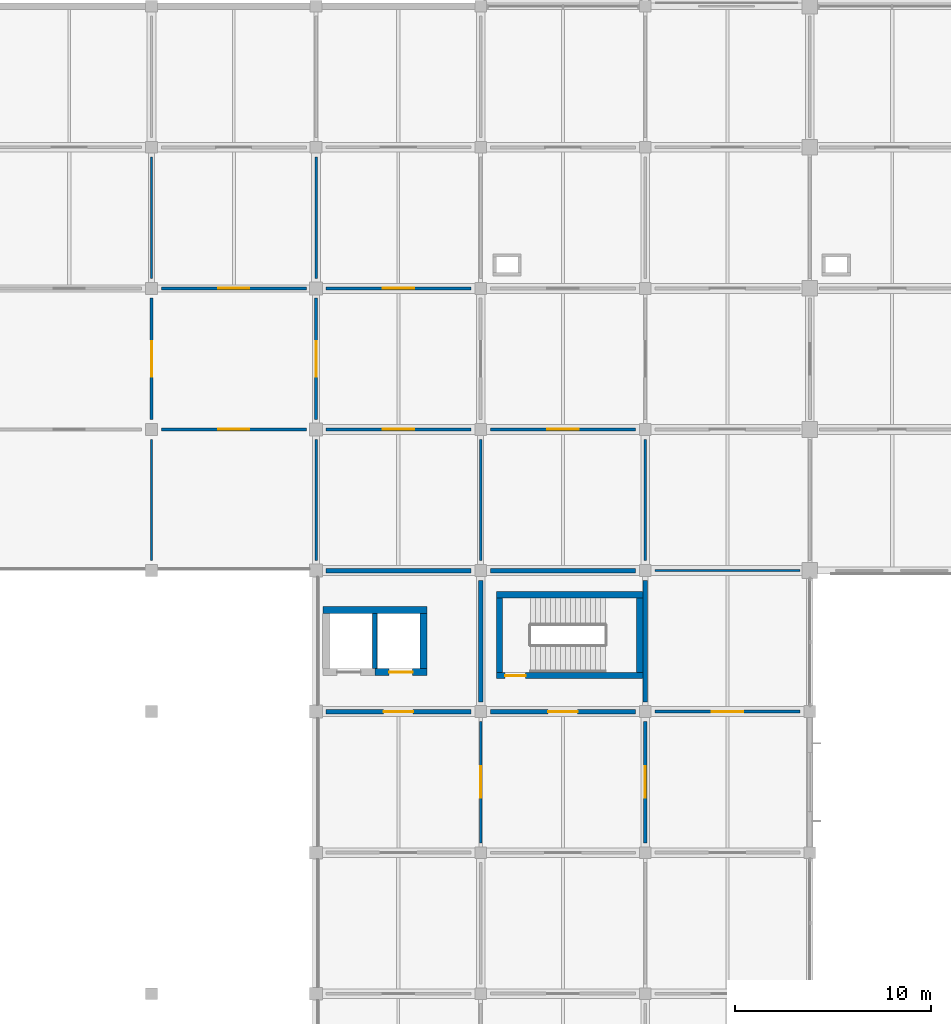
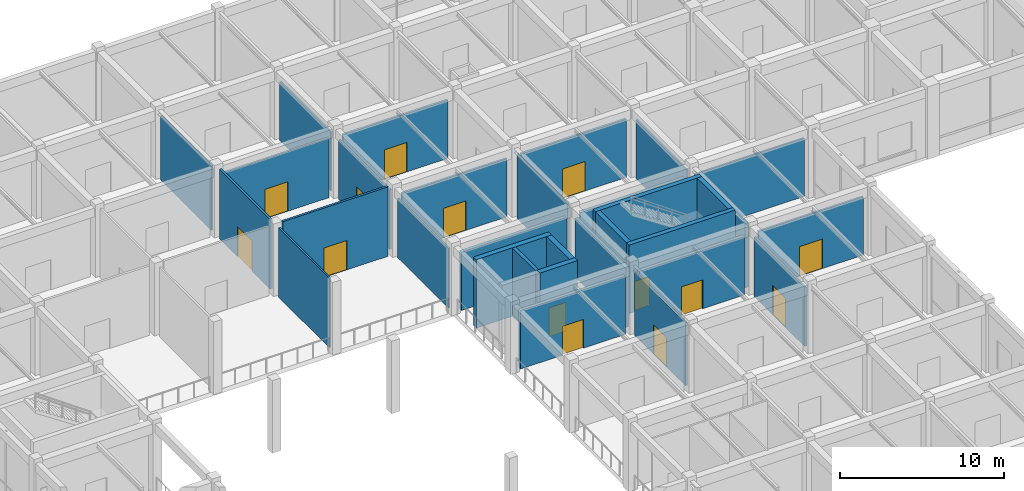
# One storey, part 22 of 38: 31 walls, 14 doors, 14 openings.
"""IFC4 building model written with IfcOpenShell, lengths in metres."""

from ifc_helpers import new_model, si_unit, derived_unit, direction, frame, frame_2d, origin, place, context, subcontext, project, spatial, rectangle, extrude, material, layer, layer_set, type_object, element, fill, save


model = new_model("IFC4")

# Units and contexts
model_context = context("Model", 3, precision=1e-05, world=origin(), true_north=direction((0.0, 1.0)))
body_context = subcontext(model_context, "Body", "Model", "MODEL_VIEW")
ifc_project = project(units=[si_unit("LENGTHUNIT", "METRE"), si_unit("AREAUNIT", "SQUARE_METRE"), si_unit("VOLUMEUNIT", "CUBIC_METRE"), si_unit("PLANEANGLEUNIT", "RADIAN"), si_unit("MASSUNIT", "GRAM", prefix="KILO"), derived_unit("THERMALTRANSMITTANCEUNIT", [(si_unit("MASSUNIT", "GRAM", prefix="KILO"), 1), (si_unit("TIMEUNIT", "SECOND"), -3), (si_unit("THERMODYNAMICTEMPERATUREUNIT", "KELVIN"), -1)])], contexts=[model_context])

# Site, building, storey
site_placement = place(None, origin())
site = spatial("IfcSite", under=ifc_project, at=site_placement, CompositionType="ELEMENT")
building_placement = place(site_placement, origin())
building = spatial("IfcBuilding", under=site, at=building_placement, Name="Veldstrom Oceanarium and Marine Research Institute", CompositionType="ELEMENT")
storey_placement = place(building_placement, frame((0.0, 0.0, 11.39990234375)))
storey = spatial("IfcBuildingStorey", under=building, at=storey_placement, Name="L02", CompositionType="ELEMENT", Elevation=11.39990234375)

# Wall, opening, door
ifc_material_1 = material(Name="Masonry Fire Compartment Wall", Category="masonry")
ifc_layer_1 = layer(ifc_material_1, 0.22998046875)
ifc_layer_set_1 = layer_set([ifc_layer_1], Name="ARC-WAL-PT1")
wall_type_1 = type_object("IfcWallType", Name="ARC-WAL-PT1", PredefinedType="PARTITIONING", material=ifc_layer_set_1)
wall_1_placement = place(storey_placement, frame((42.5, 36.0, 0.0), z_axis=(0.0, 0.0, 1.0), x_axis=(1.0, 0.0, 0.0)))
wall_1 = element("IfcWall", 1, at=wall_1_placement, inside=storey, type_object=wall_type_1, Name="Interior Partition PT1 L02-1116", PredefinedType="PARTITIONING", context=body_context, shape_type="SweptSolid", body=[
    extrude(rectangle(XDim=7.39990234375, YDim=0.22998046875, at=frame_2d((3.699951171875, 0.0))), origin(), (0.0, 0.0, 1.0), 4.34521484375),
])
opening_1_placement = place(wall_1_placement, frame((2.949951171875, 0.0, 0.0)))
opening_1 = element("IfcOpeningElement", 2, at=opening_1_placement, cuts=wall_1, Name="Opening D-L02-650", PredefinedType="OPENING", context=body_context, shape_type="SweptSolid", body=[
    extrude(rectangle(XDim=1.5, YDim=2.14990234375, at=frame_2d((0.75, 1.074951171875))), frame((0.0, 0.125, 0.0), z_axis=(0.0, -1.0, 0.0), x_axis=(1.0, 0.0, 0.0)), (0.0, 0.0, 1.0), 0.25),
])
ifc_material_2 = material(Name="Painted Steel Lobby Fire Door", Category="steel")
door_type_1 = type_object("IfcDoorType", Name="ARC-DOR-SD2", OperationType="DOUBLE_DOOR_SINGLE_SWING", PredefinedType="DOOR", material=ifc_material_2)
door_1_placement = place(opening_1_placement, frame((1.5, 0.0, 0.0), z_axis=(0.0, 0.0, 1.0), x_axis=(-1.0, 0.0, 0.0)))
door_1 = element("IfcDoor", 3, at=door_1_placement, inside=storey, type_object=door_type_1, Name="Interior Door D-L02-650", OperationType="DOUBLE_DOOR_SINGLE_SWING", OverallHeight=2.14990234375, OverallWidth=1.5, PredefinedType="DOOR", context=body_context, shape_type="SweptSolid", body=[
    extrude(rectangle(XDim=1.5, YDim=2.14990234375, at=frame_2d((0.75, 1.074951171875))), frame((0.0, 0.02490234375, 0.0), z_axis=(0.0, -1.0, 0.0), x_axis=(1.0, 0.0, 0.0)), (0.0, 0.0, 1.0), 0.050048828125),
])
fill(opening_1, door_1)

# Walls
wall_2_placement = place(storey_placement, frame((50.39990234375, 36.5, 0.0), z_axis=(0.0, 0.0, 1.0), x_axis=(0.0, 1.0, 0.0)))
element("IfcWall", 4, at=wall_2_placement, inside=storey, type_object=wall_type_1, Name="Interior Partition PT1 L02-1117", PredefinedType="PARTITIONING", context=body_context, shape_type="SweptSolid", body=[
    extrude(rectangle(XDim=6.199951171875, YDim=0.22998046875, at=frame_2d((3.10009765625, 0.0))), origin(), (0.0, 0.0, 1.0), 4.39501953125),
])
wall_3_placement = place(storey_placement, frame((42.5, 43.199951171875, 0.0), z_axis=(0.0, 0.0, 1.0), x_axis=(1.0, 0.0, 0.0)))
element("IfcWall", 5, at=wall_3_placement, inside=storey, type_object=wall_type_1, Name="Interior Partition PT1 L02-1118", PredefinedType="PARTITIONING", context=body_context, shape_type="SweptSolid", body=[
    extrude(rectangle(XDim=7.39990234375, YDim=0.22998046875, at=frame_2d((3.699951171875, 0.0))), origin(), (0.0, 0.0, 1.0), 4.34521484375),
])

# Wall, opening, door
wall_4_placement = place(storey_placement, frame((50.89990234375, 36.0, 0.0), z_axis=(0.0, 0.0, 1.0), x_axis=(1.0, 0.0, 0.0)))
wall_4 = element("IfcWall", 6, at=wall_4_placement, inside=storey, type_object=wall_type_1, Name="Interior Partition PT1 L02-1135", PredefinedType="PARTITIONING", context=body_context, shape_type="SweptSolid", body=[
    extrude(rectangle(XDim=7.400146484375, YDim=0.22998046875, at=frame_2d((3.7001953125, 0.0))), origin(), (0.0, 0.0, 1.0), 4.34521484375),
])
opening_2_placement = place(wall_4_placement, frame((2.949951171875, 0.0, 0.0)))
opening_2 = element("IfcOpeningElement", 7, at=opening_2_placement, cuts=wall_4, Name="Opening D-L02-660", PredefinedType="OPENING", context=body_context, shape_type="SweptSolid", body=[
    extrude(rectangle(XDim=1.5, YDim=2.14990234375, at=frame_2d((0.75, 1.074951171875))), frame((0.0, 0.125, 0.0), z_axis=(0.0, -1.0, 0.0), x_axis=(1.0, 0.0, 0.0)), (0.0, 0.0, 1.0), 0.25),
])
door_2_placement = place(opening_2_placement, frame((1.5, 0.0, 0.0), z_axis=(0.0, 0.0, 1.0), x_axis=(-1.0, 0.0, 0.0)))
door_2 = element("IfcDoor", 8, at=door_2_placement, inside=storey, type_object=door_type_1, Name="Interior Door D-L02-660", OperationType="DOUBLE_DOOR_SINGLE_SWING", OverallHeight=2.14990234375, OverallWidth=1.5, PredefinedType="DOOR", context=body_context, shape_type="SweptSolid", body=[
    extrude(rectangle(XDim=1.5, YDim=2.14990234375, at=frame_2d((0.75, 1.074951171875))), frame((0.0, 0.02490234375, 0.0), z_axis=(0.0, -1.0, 0.0), x_axis=(1.0, 0.0, 0.0)), (0.0, 0.0, 1.0), 0.050048828125),
])
fill(opening_2, door_2)

# Walls
wall_5_placement = place(storey_placement, frame((58.800048828125, 36.5, 0.0), z_axis=(0.0, 0.0, 1.0), x_axis=(0.0, 1.0, 0.0)))
element("IfcWall", 9, at=wall_5_placement, inside=storey, type_object=wall_type_1, Name="Interior Partition PT1 L02-1136", PredefinedType="PARTITIONING", context=body_context, shape_type="SweptSolid", body=[
    extrude(rectangle(XDim=6.199951171875, YDim=0.22998046875, at=frame_2d((3.10009765625, 0.0))), origin(), (0.0, 0.0, 1.0), 4.80517578125),
])
wall_6_placement = place(storey_placement, frame((50.89990234375, 43.199951171875, 0.0), z_axis=(0.0, 0.0, 1.0), x_axis=(1.0, 0.0, 0.0)))
element("IfcWall", 10, at=wall_6_placement, inside=storey, type_object=wall_type_1, Name="Interior Partition PT1 L02-1137", PredefinedType="PARTITIONING", context=body_context, shape_type="SweptSolid", body=[
    extrude(rectangle(XDim=7.400146484375, YDim=0.22998046875, at=frame_2d((3.7001953125, 0.0))), origin(), (0.0, 0.0, 1.0), 4.34521484375),
])

# Wall, opening, door
ifc_material_3 = material(Name="Drywall Corridor Partition", Category="gypsum")
ifc_layer_2 = layer(ifc_material_3, 0.155029296875)
ifc_layer_set_2 = layer_set([ifc_layer_2], Name="ARC-WAL-PT4")
wall_type_2 = type_object("IfcWallType", Name="ARC-WAL-PT4", PredefinedType="PARTITIONING", material=ifc_layer_set_2)
wall_7_placement = place(storey_placement, frame((33.60009765625, 50.89990234375, 0.0), z_axis=(0.0, 0.0, 1.0), x_axis=(0.0, 1.0, 0.0)))
wall_7 = element("IfcWall", 11, at=wall_7_placement, inside=storey, type_object=wall_type_2, Name="Interior Partition PT4 L02-1092", PredefinedType="PARTITIONING", context=body_context, shape_type="SweptSolid", body=[
    extrude(rectangle(XDim=6.2001953125, YDim=0.155029296875, at=frame_2d((3.10009765625, 0.0))), origin(), (0.0, 0.0, 1.0), 5.175048828125),
])
opening_3_placement = place(wall_7_placement, frame((2.199951171875, 0.0, 0.0)))
opening_3 = element("IfcOpeningElement", 12, at=opening_3_placement, cuts=wall_7, Name="Opening D-L02-636", PredefinedType="OPENING", context=body_context, shape_type="SweptSolid", body=[
    extrude(rectangle(XDim=1.800048828125, YDim=2.25, at=frame_2d((0.89990234375, 1.125))), frame((0.0, 0.08740234375, 0.0), z_axis=(0.0, -1.0, 0.0), x_axis=(1.0, 0.0, 0.0)), (0.0, 0.0, 1.0), 0.175048828125),
])
ifc_material_4 = material(Name="Acoustic Timber Gallery Door", Category="wood")
door_type_2 = type_object("IfcDoorType", Name="ARC-DOR-ID01", OperationType="DOUBLE_DOOR_SINGLE_SWING", PredefinedType="DOOR", material=ifc_material_4)
door_3_placement = place(opening_3_placement, frame((1.800048828125, 0.0, 0.0), z_axis=(0.0, 0.0, 1.0), x_axis=(-1.0, 0.0, 0.0)))
door_3 = element("IfcDoor", 13, at=door_3_placement, inside=storey, type_object=door_type_2, Name="Interior Door D-L02-636", OperationType="DOUBLE_DOOR_SINGLE_SWING", OverallHeight=2.25, OverallWidth=1.800048828125, PredefinedType="DOOR", context=body_context, shape_type="SweptSolid", body=[
    extrude(rectangle(XDim=1.800048828125, YDim=2.25, at=frame_2d((0.89990234375, 1.125))), frame((0.0, 0.02490234375, 0.0), z_axis=(0.0, -1.0, 0.0), x_axis=(1.0, 0.0, 0.0)), (0.0, 0.0, 1.0), 0.050048828125),
])
fill(opening_3, door_3)

wall_8_placement = place(storey_placement, frame((34.10009765625, 50.39990234375, 0.0), z_axis=(0.0, 0.0, 1.0), x_axis=(1.0, 0.0, 0.0)))
wall_8 = element("IfcWall", 14, at=wall_8_placement, inside=storey, type_object=wall_type_2, Name="Interior Partition PT4 L02-1101", PredefinedType="PARTITIONING", context=body_context, shape_type="SweptSolid", body=[
    extrude(rectangle(XDim=7.39990234375, YDim=0.155029296875, at=frame_2d((3.699951171875, 0.0))), origin(), (0.0, 0.0, 1.0), 5.175048828125),
])
opening_4_placement = place(wall_8_placement, frame((2.89990234375, 0.0, 0.0)))
opening_4 = element("IfcOpeningElement", 15, at=opening_4_placement, cuts=wall_8, Name="Opening D-L02-641", PredefinedType="OPENING", context=body_context, shape_type="SweptSolid", body=[
    extrude(rectangle(XDim=1.60009765625, YDim=2.199951171875, at=frame_2d((0.800048828125, 1.10009765625))), frame((0.0, 0.08740234375, 0.0), z_axis=(0.0, -1.0, 0.0), x_axis=(1.0, 0.0, 0.0)), (0.0, 0.0, 1.0), 0.175048828125),
])
ifc_material_5 = material(Name="Acoustic Timber Corridor Door", Category="wood")
door_type_3 = type_object("IfcDoorType", Name="ARC-DOR-ID02", OperationType="DOUBLE_DOOR_SINGLE_SWING", PredefinedType="DOOR", material=ifc_material_5)
door_4_placement = place(opening_4_placement, origin())
door_4 = element("IfcDoor", 16, at=door_4_placement, inside=storey, type_object=door_type_3, Name="Interior Door D-L02-641", OperationType="DOUBLE_DOOR_SINGLE_SWING", OverallHeight=2.199951171875, OverallWidth=1.60009765625, PredefinedType="DOOR", context=body_context, shape_type="SweptSolid", body=[
    extrude(rectangle(XDim=1.60009765625, YDim=2.199951171875, at=frame_2d((0.800048828125, 1.10009765625))), frame((0.0, 0.02490234375, 0.0), z_axis=(0.0, -1.0, 0.0), x_axis=(1.0, 0.0, 0.0)), (0.0, 0.0, 1.0), 0.050048828125),
])
fill(opening_4, door_4)

wall_9_placement = place(storey_placement, frame((42.5, 57.60009765625, 0.0), z_axis=(0.0, 0.0, 1.0), x_axis=(1.0, 0.0, 0.0)))
wall_9 = element("IfcWall", 17, at=wall_9_placement, inside=storey, type_object=wall_type_2, Name="Interior Partition PT4 L02-1122", PredefinedType="PARTITIONING", context=body_context, shape_type="SweptSolid", body=[
    extrude(rectangle(XDim=7.39990234375, YDim=0.155029296875, at=frame_2d((3.699951171875, 0.0))), origin(), (0.0, 0.0, 1.0), 4.34521484375),
])
opening_5_placement = place(wall_9_placement, frame((2.89990234375, 0.0, 0.0)))
opening_5 = element("IfcOpeningElement", 18, at=opening_5_placement, cuts=wall_9, Name="Opening D-L02-653", PredefinedType="OPENING", context=body_context, shape_type="SweptSolid", body=[
    extrude(rectangle(XDim=1.60009765625, YDim=2.199951171875, at=frame_2d((0.800048828125, 1.10009765625))), frame((0.0, 0.08740234375, 0.0), z_axis=(0.0, -1.0, 0.0), x_axis=(1.0, 0.0, 0.0)), (0.0, 0.0, 1.0), 0.175048828125),
])
door_5_placement = place(opening_5_placement, origin())
door_5 = element("IfcDoor", 19, at=door_5_placement, inside=storey, type_object=door_type_3, Name="Interior Door D-L02-653", OperationType="DOUBLE_DOOR_SINGLE_SWING", OverallHeight=2.199951171875, OverallWidth=1.60009765625, PredefinedType="DOOR", context=body_context, shape_type="SweptSolid", body=[
    extrude(rectangle(XDim=1.60009765625, YDim=2.199951171875, at=frame_2d((0.800048828125, 1.10009765625))), frame((0.0, 0.02490234375, 0.0), z_axis=(0.0, -1.0, 0.0), x_axis=(1.0, 0.0, 0.0)), (0.0, 0.0, 1.0), 0.050048828125),
])
fill(opening_5, door_5)

wall_10_placement = place(storey_placement, frame((58.800048828125, 29.300048828125, 0.0), z_axis=(0.0, 0.0, 1.0), x_axis=(0.0, 1.0, 0.0)))
wall_10 = element("IfcWall", 20, at=wall_10_placement, inside=storey, type_object=wall_type_2, Name="Interior Partition PT4 L02-1134", PredefinedType="PARTITIONING", context=body_context, shape_type="SweptSolid", body=[
    extrude(rectangle(XDim=6.199951171875, YDim=0.155029296875, at=frame_2d((3.10009765625, 0.0))), origin(), (0.0, 0.0, 1.0), 4.39501953125),
])
opening_6_placement = place(wall_10_placement, frame((2.300048828125, 0.0, 0.0)))
opening_6 = element("IfcOpeningElement", 21, at=opening_6_placement, cuts=wall_10, Name="Opening D-L02-659", PredefinedType="OPENING", context=body_context, shape_type="SweptSolid", body=[
    extrude(rectangle(XDim=1.60009765625, YDim=2.199951171875, at=frame_2d((0.800048828125, 1.10009765625))), frame((0.0, 0.08740234375, 0.0), z_axis=(0.0, -1.0, 0.0), x_axis=(1.0, 0.0, 0.0)), (0.0, 0.0, 1.0), 0.175048828125),
])
door_6_placement = place(opening_6_placement, frame((1.60009765625, 0.0, 0.0), z_axis=(0.0, 0.0, 1.0), x_axis=(-1.0, 0.0, 0.0)))
door_6 = element("IfcDoor", 22, at=door_6_placement, inside=storey, type_object=door_type_3, Name="Interior Door D-L02-659", OperationType="DOUBLE_DOOR_SINGLE_SWING", OverallHeight=2.199951171875, OverallWidth=1.60009765625, PredefinedType="DOOR", context=body_context, shape_type="SweptSolid", body=[
    extrude(rectangle(XDim=1.60009765625, YDim=2.199951171875, at=frame_2d((0.800048828125, 1.10009765625))), frame((0.0, 0.02490234375, 0.0), z_axis=(0.0, -1.0, 0.0), x_axis=(1.0, 0.0, 0.0)), (0.0, 0.0, 1.0), 0.050048828125),
])
fill(opening_6, door_6)

wall_11_placement = place(storey_placement, frame((50.89990234375, 50.39990234375, 0.0), z_axis=(0.0, 0.0, 1.0), x_axis=(1.0, 0.0, 0.0)))
wall_11 = element("IfcWall", 23, at=wall_11_placement, inside=storey, type_object=wall_type_2, Name="Interior Partition PT4 L02-1139", PredefinedType="PARTITIONING", context=body_context, shape_type="SweptSolid", body=[
    extrude(rectangle(XDim=7.400146484375, YDim=0.155029296875, at=frame_2d((3.7001953125, 0.0))), origin(), (0.0, 0.0, 1.0), 4.34521484375),
])
opening_7_placement = place(wall_11_placement, frame((2.89990234375, 0.0, 0.0)))
opening_7 = element("IfcOpeningElement", 24, at=opening_7_placement, cuts=wall_11, Name="Opening D-L02-661", PredefinedType="OPENING", context=body_context, shape_type="SweptSolid", body=[
    extrude(rectangle(XDim=1.60009765625, YDim=2.199951171875, at=frame_2d((0.800048828125, 1.10009765625))), frame((0.0, 0.08740234375, 0.0), z_axis=(0.0, -1.0, 0.0), x_axis=(1.0, 0.0, 0.0)), (0.0, 0.0, 1.0), 0.175048828125),
])
door_7_placement = place(opening_7_placement, origin())
door_7 = element("IfcDoor", 25, at=door_7_placement, inside=storey, type_object=door_type_3, Name="Interior Door D-L02-661", OperationType="DOUBLE_DOOR_SINGLE_SWING", OverallHeight=2.199951171875, OverallWidth=1.60009765625, PredefinedType="DOOR", context=body_context, shape_type="SweptSolid", body=[
    extrude(rectangle(XDim=1.60009765625, YDim=2.199951171875, at=frame_2d((0.800048828125, 1.10009765625))), frame((0.0, 0.02490234375, 0.0), z_axis=(0.0, -1.0, 0.0), x_axis=(1.0, 0.0, 0.0)), (0.0, 0.0, 1.0), 0.050048828125),
])
fill(opening_7, door_7)

ifc_material_6 = material(Name="Moisture-Resistant Wet-Area Partition", Category="masonry")
ifc_layer_3 = layer(ifc_material_6, 0.139892578125)
ifc_layer_set_3 = layer_set([ifc_layer_3], Name="ARC-WAL-PT5")
wall_type_3 = type_object("IfcWallType", Name="ARC-WAL-PT5", PredefinedType="PARTITIONING", material=ifc_layer_set_3)
wall_12_placement = place(storey_placement, frame((42.0, 50.89990234375, 0.0), z_axis=(0.0, 0.0, 1.0), x_axis=(0.0, 1.0, 0.0)))
wall_12 = element("IfcWall", 26, at=wall_12_placement, inside=storey, type_object=wall_type_3, Name="Interior Partition PT5 L02-1102", PredefinedType="PARTITIONING", context=body_context, shape_type="SweptSolid", body=[
    extrude(rectangle(XDim=6.2001953125, YDim=0.139892578125, at=frame_2d((3.10009765625, 0.0))), origin(), (0.0, 0.0, 1.0), 4.445068359375),
])
opening_8_placement = place(wall_12_placement, frame((2.199951171875, 0.0, 0.0)))
opening_8 = element("IfcOpeningElement", 27, at=opening_8_placement, cuts=wall_12, Name="Opening D-L02-642", PredefinedType="OPENING", context=body_context, shape_type="SweptSolid", body=[
    extrude(rectangle(XDim=1.800048828125, YDim=2.25, at=frame_2d((0.89990234375, 1.125))), frame((0.0, 0.079833984375, 0.0), z_axis=(0.0, -1.0, 0.0), x_axis=(1.0, 0.0, 0.0)), (0.0, 0.0, 1.0), 0.159912109375),
])
door_8_placement = place(opening_8_placement, origin())
door_8 = element("IfcDoor", 28, at=door_8_placement, inside=storey, type_object=door_type_2, Name="Interior Door D-L02-642", OperationType="DOUBLE_DOOR_SINGLE_SWING", OverallHeight=2.25, OverallWidth=1.800048828125, PredefinedType="DOOR", context=body_context, shape_type="SweptSolid", body=[
    extrude(rectangle(XDim=1.800048828125, YDim=2.25, at=frame_2d((0.89990234375, 1.125))), frame((0.0, 0.02490234375, 0.0), z_axis=(0.0, -1.0, 0.0), x_axis=(1.0, 0.0, 0.0)), (0.0, 0.0, 1.0), 0.050048828125),
])
fill(opening_8, door_8)

wall_13_placement = place(storey_placement, frame((34.10009765625, 57.60009765625, 0.0), z_axis=(0.0, 0.0, 1.0), x_axis=(1.0, 0.0, 0.0)))
wall_13 = element("IfcWall", 29, at=wall_13_placement, inside=storey, type_object=wall_type_3, Name="Interior Partition PT5 L02-1103", PredefinedType="PARTITIONING", context=body_context, shape_type="SweptSolid", body=[
    extrude(rectangle(XDim=7.39990234375, YDim=0.139892578125, at=frame_2d((3.699951171875, 0.0))), origin(), (0.0, 0.0, 1.0), 4.445068359375),
])
opening_9_placement = place(wall_13_placement, frame((2.89990234375, 0.0, 0.0)))
opening_9 = element("IfcOpeningElement", 30, at=opening_9_placement, cuts=wall_13, Name="Opening D-L02-643", PredefinedType="OPENING", context=body_context, shape_type="SweptSolid", body=[
    extrude(rectangle(XDim=1.60009765625, YDim=2.199951171875, at=frame_2d((0.800048828125, 1.10009765625))), frame((0.0, 0.079833984375, 0.0), z_axis=(0.0, -1.0, 0.0), x_axis=(1.0, 0.0, 0.0)), (0.0, 0.0, 1.0), 0.159912109375),
])
door_9_placement = place(opening_9_placement, frame((1.60009765625, 0.0, 0.0), z_axis=(0.0, 0.0, 1.0), x_axis=(-1.0, 0.0, 0.0)))
door_9 = element("IfcDoor", 31, at=door_9_placement, inside=storey, type_object=door_type_3, Name="Interior Door D-L02-643", OperationType="DOUBLE_DOOR_SINGLE_SWING", OverallHeight=2.199951171875, OverallWidth=1.60009765625, PredefinedType="DOOR", context=body_context, shape_type="SweptSolid", body=[
    extrude(rectangle(XDim=1.60009765625, YDim=2.199951171875, at=frame_2d((0.800048828125, 1.10009765625))), frame((0.0, 0.02490234375, 0.0), z_axis=(0.0, -1.0, 0.0), x_axis=(1.0, 0.0, 0.0)), (0.0, 0.0, 1.0), 0.050048828125),
])
fill(opening_9, door_9)

wall_14_placement = place(storey_placement, frame((50.39990234375, 29.300048828125, 0.0), z_axis=(0.0, 0.0, 1.0), x_axis=(0.0, 1.0, 0.0)))
wall_14 = element("IfcWall", 32, at=wall_14_placement, inside=storey, type_object=wall_type_3, Name="Interior Partition PT5 L02-1115", PredefinedType="PARTITIONING", context=body_context, shape_type="SweptSolid", body=[
    extrude(rectangle(XDim=6.199951171875, YDim=0.139892578125, at=frame_2d((3.10009765625, 0.0))), origin(), (0.0, 0.0, 1.0), 4.695068359375),
])
opening_10_placement = place(wall_14_placement, frame((2.300048828125, 0.0, 0.0)))
opening_10 = element("IfcOpeningElement", 33, at=opening_10_placement, cuts=wall_14, Name="Opening D-L02-649", PredefinedType="OPENING", context=body_context, shape_type="SweptSolid", body=[
    extrude(rectangle(XDim=1.60009765625, YDim=2.199951171875, at=frame_2d((0.800048828125, 1.10009765625))), frame((0.0, 0.079833984375, 0.0), z_axis=(0.0, -1.0, 0.0), x_axis=(1.0, 0.0, 0.0)), (0.0, 0.0, 1.0), 0.159912109375),
])
door_10_placement = place(opening_10_placement, origin())
door_10 = element("IfcDoor", 34, at=door_10_placement, inside=storey, type_object=door_type_3, Name="Interior Door D-L02-649", OperationType="DOUBLE_DOOR_SINGLE_SWING", OverallHeight=2.199951171875, OverallWidth=1.60009765625, PredefinedType="DOOR", context=body_context, shape_type="SweptSolid", body=[
    extrude(rectangle(XDim=1.60009765625, YDim=2.199951171875, at=frame_2d((0.800048828125, 1.10009765625))), frame((0.0, 0.02490234375, 0.0), z_axis=(0.0, -1.0, 0.0), x_axis=(1.0, 0.0, 0.0)), (0.0, 0.0, 1.0), 0.050048828125),
])
fill(opening_10, door_10)

wall_15_placement = place(storey_placement, frame((42.5, 50.39990234375, 0.0), z_axis=(0.0, 0.0, 1.0), x_axis=(1.0, 0.0, 0.0)))
wall_15 = element("IfcWall", 35, at=wall_15_placement, inside=storey, type_object=wall_type_3, Name="Interior Partition PT5 L02-1120", PredefinedType="PARTITIONING", context=body_context, shape_type="SweptSolid", body=[
    extrude(rectangle(XDim=7.39990234375, YDim=0.139892578125, at=frame_2d((3.699951171875, 0.0))), origin(), (0.0, 0.0, 1.0), 4.34521484375),
])
opening_11_placement = place(wall_15_placement, frame((2.89990234375, 0.0, 0.0)))
opening_11 = element("IfcOpeningElement", 36, at=opening_11_placement, cuts=wall_15, Name="Opening D-L02-651", PredefinedType="OPENING", context=body_context, shape_type="SweptSolid", body=[
    extrude(rectangle(XDim=1.60009765625, YDim=2.199951171875, at=frame_2d((0.800048828125, 1.10009765625))), frame((0.0, 0.079833984375, 0.0), z_axis=(0.0, -1.0, 0.0), x_axis=(1.0, 0.0, 0.0)), (0.0, 0.0, 1.0), 0.159912109375),
])
door_11_placement = place(opening_11_placement, frame((1.60009765625, 0.0, 0.0), z_axis=(0.0, 0.0, 1.0), x_axis=(-1.0, 0.0, 0.0)))
door_11 = element("IfcDoor", 37, at=door_11_placement, inside=storey, type_object=door_type_3, Name="Interior Door D-L02-651", OperationType="DOUBLE_DOOR_SINGLE_SWING", OverallHeight=2.199951171875, OverallWidth=1.60009765625, PredefinedType="DOOR", context=body_context, shape_type="SweptSolid", body=[
    extrude(rectangle(XDim=1.60009765625, YDim=2.199951171875, at=frame_2d((0.800048828125, 1.10009765625))), frame((0.0, 0.02490234375, 0.0), z_axis=(0.0, -1.0, 0.0), x_axis=(1.0, 0.0, 0.0)), (0.0, 0.0, 1.0), 0.050048828125),
])
fill(opening_11, door_11)

wall_16_placement = place(storey_placement, frame((59.300048828125, 36.0, 0.0), z_axis=(0.0, 0.0, 1.0), x_axis=(1.0, 0.0, 0.0)))
wall_16 = element("IfcWall", 38, at=wall_16_placement, inside=storey, type_object=wall_type_3, Name="Interior Partition PT5 L02-1149", PredefinedType="PARTITIONING", context=body_context, shape_type="SweptSolid", body=[
    extrude(rectangle(XDim=7.39990234375, YDim=0.139892578125, at=frame_2d((3.699951171875, 0.0))), origin(), (0.0, 0.0, 1.0), 4.34521484375),
])
opening_12_placement = place(wall_16_placement, frame((2.89990234375, 0.0, 0.0)))
opening_12 = element("IfcOpeningElement", 39, at=opening_12_placement, cuts=wall_16, Name="Opening D-L02-669", PredefinedType="OPENING", context=body_context, shape_type="SweptSolid", body=[
    extrude(rectangle(XDim=1.60009765625, YDim=2.199951171875, at=frame_2d((0.800048828125, 1.10009765625))), frame((0.0, 0.079833984375, 0.0), z_axis=(0.0, -1.0, 0.0), x_axis=(1.0, 0.0, 0.0)), (0.0, 0.0, 1.0), 0.159912109375),
])
door_12_placement = place(opening_12_placement, frame((1.60009765625, 0.0, 0.0), z_axis=(0.0, 0.0, 1.0), x_axis=(-1.0, 0.0, 0.0)))
door_12 = element("IfcDoor", 40, at=door_12_placement, inside=storey, type_object=door_type_3, Name="Interior Door D-L02-669", OperationType="DOUBLE_DOOR_SINGLE_SWING", OverallHeight=2.199951171875, OverallWidth=1.60009765625, PredefinedType="DOOR", context=body_context, shape_type="SweptSolid", body=[
    extrude(rectangle(XDim=1.60009765625, YDim=2.199951171875, at=frame_2d((0.800048828125, 1.10009765625))), frame((0.0, 0.02490234375, 0.0), z_axis=(0.0, -1.0, 0.0), x_axis=(1.0, 0.0, 0.0)), (0.0, 0.0, 1.0), 0.050048828125),
])
fill(opening_12, door_12)

# Walls
ifc_material_7 = material(Name="Lightweight Studio Partition", Category="gypsum")
ifc_layer_4 = layer(ifc_material_7, 0.1201171875)
ifc_layer_set_4 = layer_set([ifc_layer_4], Name="ARC-WAL-PT6")
wall_type_4 = type_object("IfcWallType", Name="ARC-WAL-PT6", PredefinedType="PARTITIONING", material=ifc_layer_set_4)
wall_17_placement = place(storey_placement, frame((33.60009765625, 43.699951171875, 0.0), z_axis=(0.0, 0.0, 1.0), x_axis=(0.0, 1.0, 0.0)))
element("IfcWall", 41, at=wall_17_placement, inside=storey, type_object=wall_type_4, Name="Interior Partition PT6 L02-1090", PredefinedType="PARTITIONING", context=body_context, shape_type="SweptSolid", body=[
    extrude(rectangle(XDim=6.199951171875, YDim=0.1201171875, at=frame_2d((3.10009765625, 0.0))), origin(), (0.0, 0.0, 1.0), 5.175048828125),
])
wall_18_placement = place(storey_placement, frame((33.60009765625, 58.10009765625, 0.0), z_axis=(0.0, 0.0, 1.0), x_axis=(0.0, 1.0, 0.0)))
element("IfcWall", 42, at=wall_18_placement, inside=storey, type_object=wall_type_4, Name="Interior Partition PT6 L02-1094", PredefinedType="PARTITIONING", context=body_context, shape_type="SweptSolid", body=[
    extrude(rectangle(XDim=6.199951171875, YDim=0.1201171875, at=frame_2d((3.10009765625, 0.0))), origin(), (0.0, 0.0, 1.0), 4.80517578125),
])
wall_19_placement = place(storey_placement, frame((42.0, 43.699951171875, 0.0), z_axis=(0.0, 0.0, 1.0), x_axis=(0.0, 1.0, 0.0)))
element("IfcWall", 43, at=wall_19_placement, inside=storey, type_object=wall_type_4, Name="Interior Partition PT6 L02-1100", PredefinedType="PARTITIONING", context=body_context, shape_type="SweptSolid", body=[
    extrude(rectangle(XDim=6.199951171875, YDim=0.1201171875, at=frame_2d((3.10009765625, 0.0))), origin(), (0.0, 0.0, 1.0), 4.445068359375),
])
wall_20_placement = place(storey_placement, frame((42.0, 58.10009765625, 0.0), z_axis=(0.0, 0.0, 1.0), x_axis=(0.0, 1.0, 0.0)))
element("IfcWall", 44, at=wall_20_placement, inside=storey, type_object=wall_type_4, Name="Interior Partition PT6 L02-1104", PredefinedType="PARTITIONING", context=body_context, shape_type="SweptSolid", body=[
    extrude(rectangle(XDim=6.199951171875, YDim=0.1201171875, at=frame_2d((3.10009765625, 0.0))), origin(), (0.0, 0.0, 1.0), 4.39501953125),
])
wall_21_placement = place(storey_placement, frame((50.39990234375, 43.699951171875, 0.0), z_axis=(0.0, 0.0, 1.0), x_axis=(0.0, 1.0, 0.0)))
element("IfcWall", 45, at=wall_21_placement, inside=storey, type_object=wall_type_4, Name="Interior Partition PT6 L02-1119", PredefinedType="PARTITIONING", context=body_context, shape_type="SweptSolid", body=[
    extrude(rectangle(XDim=6.199951171875, YDim=0.1201171875, at=frame_2d((3.10009765625, 0.0))), origin(), (0.0, 0.0, 1.0), 4.80517578125),
])
wall_22_placement = place(storey_placement, frame((58.800048828125, 43.699951171875, 0.0), z_axis=(0.0, 0.0, 1.0), x_axis=(0.0, 1.0, 0.0)))
element("IfcWall", 46, at=wall_22_placement, inside=storey, type_object=wall_type_4, Name="Interior Partition PT6 L02-1138", PredefinedType="PARTITIONING", context=body_context, shape_type="SweptSolid", body=[
    extrude(rectangle(XDim=6.199951171875, YDim=0.1201171875, at=frame_2d((3.10009765625, 0.0))), origin(), (0.0, 0.0, 1.0), 4.39501953125),
])
wall_23_placement = place(storey_placement, frame((59.300048828125, 43.199951171875, 0.0), z_axis=(0.0, 0.0, 1.0), x_axis=(1.0, 0.0, 0.0)))
element("IfcWall", 47, at=wall_23_placement, inside=storey, type_object=wall_type_4, Name="Interior Partition PT6 L02-1150", PredefinedType="PARTITIONING", context=body_context, shape_type="SweptSolid", body=[
    extrude(rectangle(XDim=7.39990234375, YDim=0.1201171875, at=frame_2d((3.699951171875, 0.0))), origin(), (0.0, 0.0, 1.0), 4.34521484375),
])
ifc_material_8 = material(Name="Concrete C40/50", Category="concrete")
ifc_layer_5 = layer(ifc_material_8, 0.360107421875)
ifc_layer_set_5 = layer_set([ifc_layer_5], Name="STR-WAL-WC2")
wall_type_5 = type_object("IfcWallType", Name="STR-WAL-WC2", PredefinedType="SHEAR", material=ifc_layer_set_5)
wall_24_placement = place(storey_placement, frame((42.340087890625, 41.179931640625, 0.0), z_axis=(0.0, 0.0, 1.0), x_axis=(1.0, 0.0, 0.0)))
element("IfcWall", 48, at=wall_24_placement, inside=storey, type_object=wall_type_5, Name="Lift Shaft Shear Wall N L02 5/5", PredefinedType="SHEAR", context=body_context, shape_type="SweptSolid", body=[
    extrude(rectangle(XDim=5.31982421875, YDim=0.360107421875, at=frame_2d((2.659912109375, 0.0))), origin(), (0.0, 0.0, 1.0), 5.10009765625),
])

# Wall, opening, door
wall_25_placement = place(storey_placement, frame((45.0, 38.02001953125, 0.0), z_axis=(0.0, 0.0, 1.0), x_axis=(1.0, 0.0, 0.0)))
wall_25 = element("IfcWall", 49, at=wall_25_placement, inside=storey, type_object=wall_type_5, Name="Lift Shaft Front Shear Wall LP5 L02", PredefinedType="SHEAR", context=body_context, shape_type="SweptSolid", body=[
    extrude(rectangle(XDim=2.659912109375, YDim=0.360107421875, at=frame_2d((1.330078125, 0.0))), origin(), (0.0, 0.0, 1.0), 5.10009765625),
])
opening_13_placement = place(wall_25_placement, frame((0.72998046875, 0.0, 0.0)))
opening_13 = element("IfcOpeningElement", 50, at=opening_13_placement, cuts=wall_25, Name="Opening LD-LP5-L02", PredefinedType="OPENING", context=body_context, shape_type="SweptSolid", body=[
    extrude(rectangle(XDim=1.199951171875, YDim=2.14990234375, at=frame_2d((0.60009765625, 1.074951171875))), frame((0.0, 0.18994140625, 0.0), z_axis=(0.0, -1.0, 0.0), x_axis=(1.0, 0.0, 0.0)), (0.0, 0.0, 1.0), 0.380126953125),
])
ifc_material_9 = material(Name="Stainless Steel Lift Landing Door", Category="steel")
door_type_4 = type_object("IfcDoorType", Name="ARC-DOR-LD2", OperationType="DOUBLE_DOOR_SLIDING", PredefinedType="DOOR", material=ifc_material_9)
door_13_placement = place(opening_13_placement, origin())
door_13 = element("IfcDoor", 51, at=door_13_placement, inside=storey, type_object=door_type_4, Name="Lift Landing Door LD-LP5-L02", OperationType="DOUBLE_DOOR_SLIDING", OverallHeight=2.14990234375, OverallWidth=1.199951171875, PredefinedType="DOOR", context=body_context, shape_type="SweptSolid", body=[
    extrude(rectangle(XDim=1.199951171875, YDim=2.14990234375, at=frame_2d((0.60009765625, 1.074951171875))), frame((0.0, 0.02490234375, 0.0), z_axis=(0.0, -1.0, 0.0), x_axis=(1.0, 0.0, 0.0)), (0.0, 0.0, 1.0), 0.050048828125),
])
fill(opening_13, door_13)

# Wall
wall_26_placement = place(storey_placement, frame((47.47998046875, 38.199951171875, 0.0), z_axis=(0.0, 0.0, 1.0), x_axis=(0.0, 1.0, 0.0)))
element("IfcWall", 52, at=wall_26_placement, inside=storey, type_object=wall_type_5, Name="Lift Shaft Shear Wall E L02 5/5", PredefinedType="SHEAR", context=body_context, shape_type="SweptSolid", body=[
    extrude(rectangle(XDim=2.800048828125, YDim=0.360107421875, at=frame_2d((1.39990234375, 0.0))), origin(), (0.0, 0.0, 1.0), 5.10009765625),
])

# Wall, opening, door
ifc_material_10 = material(Name="Concrete C40/50", Category="concrete")
ifc_layer_6 = layer(ifc_material_10, 0.320068359375)
ifc_layer_set_6 = layer_set([ifc_layer_6], Name="STR-WAL-WC3")
wall_type_6 = type_object("IfcWallType", Name="STR-WAL-WC3", PredefinedType="SHEAR", material=ifc_layer_set_6)
wall_27_placement = place(storey_placement, frame((51.199951171875, 37.840087890625, 0.0), z_axis=(0.0, 0.0, 1.0), x_axis=(1.0, 0.0, 0.0)))
wall_27 = element("IfcWall", 53, at=wall_27_placement, inside=storey, type_object=wall_type_6, Name="Stair Core Shear Wall SC5-L02-S", PredefinedType="SHEAR", context=body_context, shape_type="SweptSolid", body=[
    extrude(rectangle(XDim=7.47998046875, YDim=0.320068359375, at=frame_2d((3.739990234375, 0.0))), origin(), (0.0, 0.0, 1.0), 5.10009765625),
])
opening_14_placement = place(wall_27_placement, frame((0.449951171875, 0.0, 0.0)))
opening_14 = element("IfcOpeningElement", 54, at=opening_14_placement, cuts=wall_27, Name="Opening D-ST5-L02", PredefinedType="OPENING", context=body_context, shape_type="SweptSolid", body=[
    extrude(rectangle(XDim=1.050048828125, YDim=2.14990234375, at=frame_2d((0.52490234375, 1.074951171875))), frame((0.0, 0.169921875, 0.0), z_axis=(0.0, -1.0, 0.0), x_axis=(1.0, 0.0, 0.0)), (0.0, 0.0, 1.0), 0.340087890625),
])
ifc_material_11 = material(Name="Painted Steel Fire Door", Category="steel")
door_type_5 = type_object("IfcDoorType", Name="ARC-DOR-SD1", OperationType="SINGLE_SWING_LEFT", PredefinedType="DOOR", material=ifc_material_11)
door_14_placement = place(opening_14_placement, origin())
door_14 = element("IfcDoor", 55, at=door_14_placement, inside=storey, type_object=door_type_5, Name="Escape Stair Fire Door D-ST5-L02", OperationType="SINGLE_SWING_LEFT", OverallHeight=2.14990234375, OverallWidth=1.050048828125, PredefinedType="DOOR", context=body_context, shape_type="SweptSolid", body=[
    extrude(rectangle(XDim=1.050048828125, YDim=2.14990234375, at=frame_2d((0.52490234375, 1.074951171875))), frame((0.0, 0.02490234375, 0.0), z_axis=(0.0, -1.0, 0.0), x_axis=(1.0, 0.0, 0.0)), (0.0, 0.0, 1.0), 0.050048828125),
])
fill(opening_14, door_14)

# Walls
wall_28_placement = place(storey_placement, frame((51.199951171875, 41.9599609375, 0.0), z_axis=(0.0, 0.0, 1.0), x_axis=(1.0, 0.0, 0.0)))
element("IfcWall", 56, at=wall_28_placement, inside=storey, type_object=wall_type_6, Name="Stair Core Shear Wall SC5-L02-N", PredefinedType="SHEAR", context=body_context, shape_type="SweptSolid", body=[
    extrude(rectangle(XDim=7.47998046875, YDim=0.320068359375, at=frame_2d((3.739990234375, 0.0))), origin(), (0.0, 0.0, 1.0), 5.10009765625),
])
for number, where, z_axis, x_axis, name in (
    (57, (51.360107421875, 38.0, 0.0), (0.0, 0.0, 1.0), (0.0, 1.0, 0.0), "Stair Core Shear Wall SC5-L02-W"),
    (58, (58.52001953125, 38.0, 0.0), (0.0, 0.0, 1.0), (0.0, 1.0, 0.0), "Stair Core Shear Wall SC5-L02-E"),
):
    element("IfcWall", number, at=place(storey_placement, frame(where, z_axis=z_axis, x_axis=x_axis)), inside=storey, type_object=wall_type_6, Name=name, PredefinedType="SHEAR", context=body_context, shape_type="SweptSolid", body=[
        extrude(rectangle(XDim=3.800048828125, YDim=0.320068359375, at=frame_2d((1.89990234375, 0.0))), origin(), (0.0, 0.0, 1.0), 5.10009765625),
    ])
ifc_material_12 = material(Name="Concrete C40/50", Category="concrete")
ifc_layer_7 = layer(ifc_material_12, 0.239990234375)
ifc_layer_set_7 = layer_set([ifc_layer_7], Name="STR-WAL-WC4")
wall_type_7 = type_object("IfcWallType", Name="STR-WAL-WC4", PredefinedType="SHEAR", material=ifc_layer_set_7)
wall_29_placement = place(storey_placement, frame((45.0, 38.199951171875, 0.0), z_axis=(0.0, 0.0, 1.0), x_axis=(0.0, 1.0, 0.0)))
element("IfcWall", 59, at=wall_29_placement, inside=storey, type_object=wall_type_7, Name="Lift Shaft Divider Wall L02 5/5-1", PredefinedType="SHEAR", context=body_context, shape_type="SweptSolid", body=[
    extrude(rectangle(XDim=2.800048828125, YDim=0.239990234375, at=frame_2d((1.39990234375, 0.0))), origin(), (0.0, 0.0, 1.0), 5.10009765625),
])

save(model, "model.ifc")
